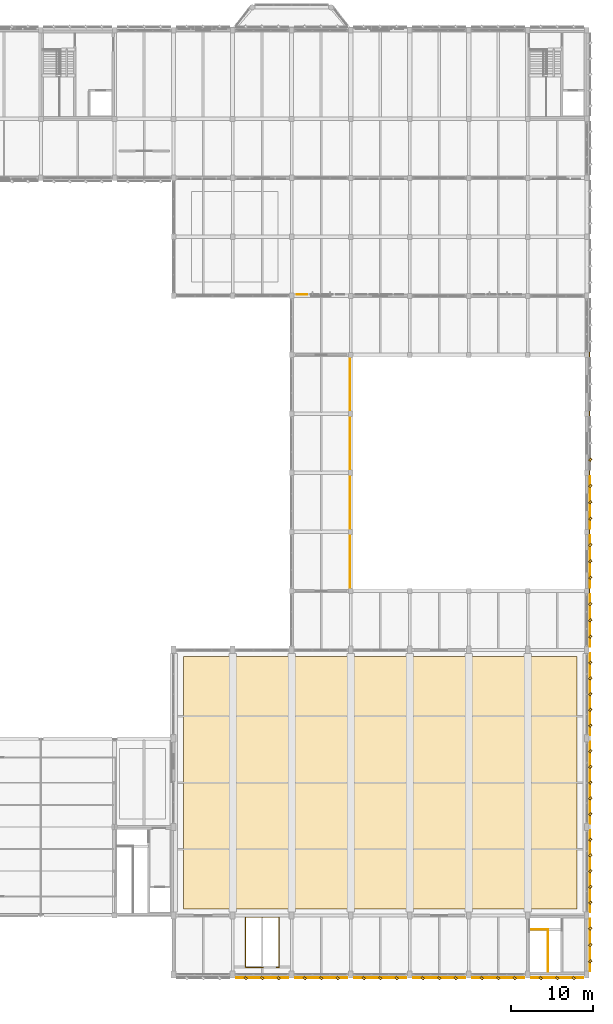
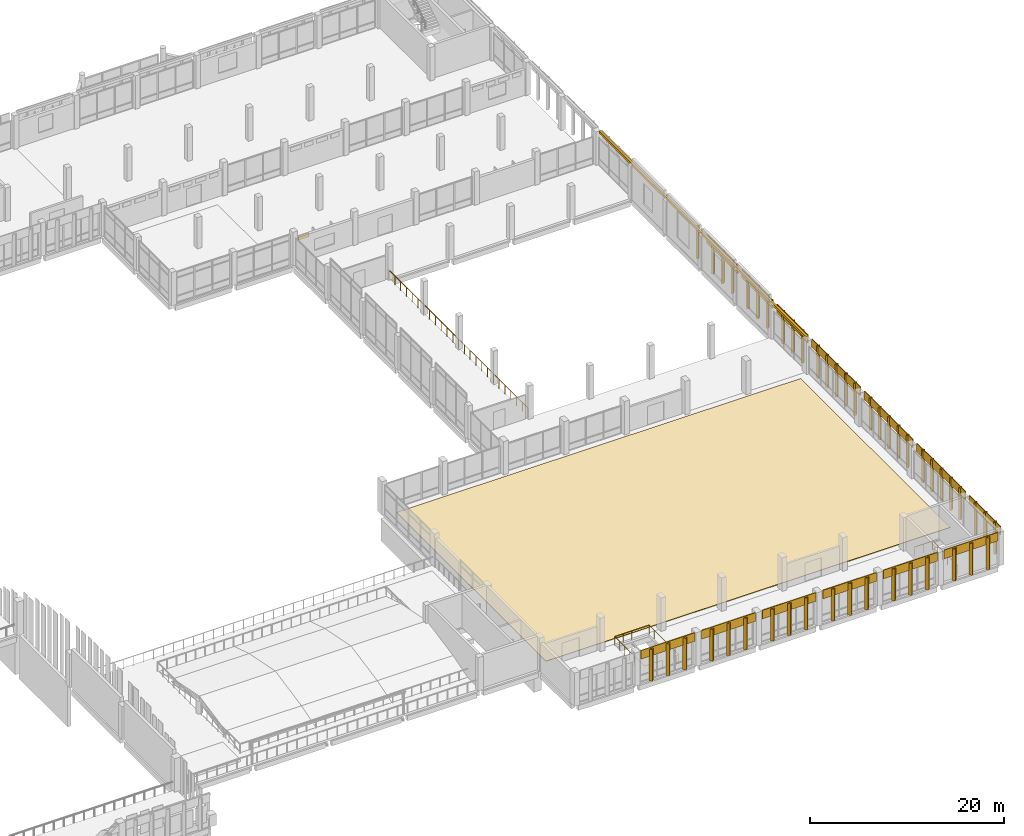
# One storey, part 153 of 158: 62 coverings, 3 railings.
"""IFC4 building model written with IfcOpenShell, lengths in metres."""

from ifc_helpers import new_model, si_unit, direction, frame, origin, origin_2d, place, context, subcontext, project, spatial, polyline, rectangle, circle, outline, extrude, material, layer, layer_set, type_object, element, save


model = new_model("IFC4")

# Units and contexts
model_context = context("Model", 3, precision=1e-05, world=origin(), true_north=direction((0.0, 1.0)))
body_context = subcontext(model_context, "Body", "Model", "MODEL_VIEW")
ifc_project = project(units=[si_unit("LENGTHUNIT", "METRE"), si_unit("AREAUNIT", "SQUARE_METRE"), si_unit("VOLUMEUNIT", "CUBIC_METRE"), si_unit("PLANEANGLEUNIT", "RADIAN"), si_unit("MASSUNIT", "GRAM", prefix="KILO")], contexts=[model_context])

# Site, building, storey
site_placement = place(None, origin())
site = spatial("IfcSite", under=ifc_project, at=site_placement, CompositionType="ELEMENT")
building_placement = place(site_placement, origin())
building = spatial("IfcBuilding", under=site, at=building_placement, Name="Lusvemor Sports Hall", CompositionType="ELEMENT")
storey_placement = place(building_placement, frame((0.0, 0.0, 10.800048828125)))
storey = spatial("IfcBuildingStorey", under=building, at=storey_placement, Name="L02", CompositionType="ELEMENT", Elevation=10.800048828125)

# Coverings
ifc_material_1 = material(Name="Precast granite-faced Concrete C40/50 architectural cladding", Category="masonry")
ifc_layer_1 = layer(ifc_material_1, 0.055908203125)
ifc_layer_set_1 = layer_set([ifc_layer_1], Name="Precast granite-faced Concrete C40/50 architectural cladding")
covering_type_1 = type_object("IfcCoveringType", Name="CLAD_RELIEF_FRIEZE", PredefinedType="CLADDING", material=ifc_layer_set_1)
covering_1_placement = place(storey_placement, frame((169.419921875, 61.199951171875, 3.8798828125), z_axis=(0.0, 0.0, 1.0), x_axis=(1.0, 0.0, 0.0)))
element("IfcCovering", 1, at=covering_1_placement, inside=storey, type_object=covering_type_1, Name="Art Nouveau Sculpted Roofline Cornice 429", PredefinedType="CLADDING", context=body_context, shape_type="SweptSolid", body=[
    extrude(rectangle(XDim=0.239990234375, YDim=42.60009765625, at=origin_2d()), origin(), (0.0, 0.0, 1.0), 0.320068359375),
])
ifc_material_2 = material(Name="Emerald polychrome glazed ceramic cladding on Concrete C40/50 backing", Category="concrete")
ifc_layer_2 = layer(ifc_material_2, 0.0458984375)
ifc_layer_set_2 = layer_set([ifc_layer_2], Name="Emerald polychrome glazed ceramic cladding on Concrete C40/50 backing")
covering_type_2 = type_object("IfcCoveringType", Name="CLAD_WAVE_EMERALD", PredefinedType="CLADDING", material=ifc_layer_set_2)
covering_2_placement = place(storey_placement, frame((134.47509765625, 82.965576171875, 2.61474609375), z_axis=(0.0, 0.0, 1.0), x_axis=(1.0, 0.0, 0.0)))
element("IfcCovering", 2, at=covering_2_placement, inside=storey, type_object=covering_type_2, Name="Art Nouveau Patterned Cladding PS-EW-L02-N-4-0-1", PredefinedType="CLADDING", context=body_context, shape_type="SweptSolid", body=[
    extrude(rectangle(XDim=1.27099609375, YDim=0.0458984375, at=origin_2d()), origin(), (0.0, 0.0, 1.0), 0.510009765625),
])
for number, where, z_axis, x_axis, name in (
    (3, (129.60009765625, -0.43994140625, 0.099853515625), (0.0, 0.0, 1.0), (0.707106781187, 0.707106781187, 0.0), "Patterned Diamond Cladding Rib 170"),
    (4, (136.800048828125, -0.43994140625, 0.099853515625), (0.0, 0.0, 1.0), (0.707106781187, 0.707106781187, 0.0), "Patterned Diamond Cladding Rib 186"),
    (5, (144.0, -0.43994140625, 0.099853515625), (0.0, 0.0, 1.0), (0.707106781187, 0.707106781187, 0.0), "Patterned Diamond Cladding Rib 202"),
    (6, (151.199951171875, -0.43994140625, 0.099853515625), (0.0, 0.0, 1.0), (0.707106781187, 0.707106781187, 0.0), "Patterned Diamond Cladding Rib 218"),
    (7, (158.39990234375, -0.43994140625, 0.099853515625), (0.0, 0.0, 1.0), (0.707106781187, 0.707106781187, 0.0), "Patterned Diamond Cladding Rib 234"),
    (8, (165.60009765625, -0.43994140625, 0.099853515625), (0.0, 0.0, 1.0), (0.707106781187, 0.707106781187, 0.0), "Patterned Diamond Cladding Rib 250"),
):
    element("IfcCovering", number, at=place(storey_placement, frame(where, z_axis=z_axis, x_axis=x_axis)), inside=storey, type_object=covering_type_2, Name=name, PredefinedType="CLADDING", context=body_context, shape_type="SweptSolid", body=[
        extrude(rectangle(XDim=0.280029296875, YDim=0.3798828125, at=origin_2d()), origin(), (0.0, 0.0, 1.0), 4.0),
    ])
for number, where, z_axis, x_axis, name in (
    (9, (169.639892578125, 3.60009765625, 0.099853515625), (0.0, 0.0, 1.0), (0.707106781187, 0.707106781187, 0.0), "Patterned Diamond Cladding Rib 272"),
    (10, (169.639892578125, 10.679931640625, 0.099853515625), (0.0, 0.0, 1.0), (0.707106781187, 0.707106781187, 0.0), "Patterned Diamond Cladding Rib 292"),
    (11, (169.639892578125, 14.52001953125, 0.099853515625), (0.0, 0.0, 1.0), (0.707106781187, 0.707106781187, 0.0), "Patterned Diamond Cladding Rib 294"),
    (12, (169.639892578125, 21.47998046875, 0.099853515625), (0.0, 0.0, 1.0), (0.707106781187, 0.707106781187, 0.0), "Patterned Diamond Cladding Rib 316"),
    (13, (169.639892578125, 25.320068359375, 0.099853515625), (0.0, 0.0, 1.0), (0.707106781187, 0.707106781187, 0.0), "Patterned Diamond Cladding Rib 318"),
    (14, (169.639892578125, 32.280029296875, 0.099853515625), (0.0, 0.0, 1.0), (0.707106781187, 0.707106781187, 0.0), "Patterned Diamond Cladding Rib 340"),
    (15, (169.639892578125, 36.1201171875, 0.099853515625), (0.0, 0.0, 1.0), (0.707106781187, 0.707106781187, 0.0), "Patterned Diamond Cladding Rib 342"),
    (16, (169.639892578125, 43.199951171875, 0.099853515625), (0.0, 0.0, 1.0), (0.707106781187, 0.707106781187, 0.0), "Patterned Diamond Cladding Rib 367"),
    (17, (169.639892578125, 50.39990234375, 0.099853515625), (0.0, 0.0, 1.0), (0.707106781187, 0.707106781187, 0.0), "Patterned Diamond Cladding Rib 379"),
    (18, (169.639892578125, 57.60009765625, 0.099853515625), (0.0, 0.0, 1.0), (0.707106781187, 0.707106781187, 0.0), "Patterned Diamond Cladding Rib 391"),
):
    element("IfcCovering", number, at=place(storey_placement, frame(where, z_axis=z_axis, x_axis=x_axis)), inside=storey, type_object=covering_type_2, Name=name, PredefinedType="CLADDING", context=body_context, shape_type="SweptSolid", body=[
        extrude(rectangle(XDim=0.3798828125, YDim=0.280029296875, at=origin_2d()), origin(), (0.0, 0.0, 1.0), 4.0),
    ])
ifc_material_3 = material(Name="Warm terracotta Art Nouveau ceramic cladding on Concrete C40/50 backing", Category="masonry")
ifc_layer_3 = layer(ifc_material_3, 0.0380859375)
ifc_layer_set_3 = layer_set([ifc_layer_3], Name="Warm terracotta Art Nouveau ceramic cladding on Concrete C40/50 backing")
covering_type_3 = type_object("IfcCoveringType", Name="CLAD_WAVE_OCHRE", PredefinedType="CLADDING", material=ifc_layer_set_3)
for number, where, z_axis, x_axis, name in (
    (19, (129.60009765625, -0.389892578125, 3.179931640625), (0.0, 0.0, 1.0), (1.0, 0.0, 0.0), "Art Nouveau Spandrel Cornice 168"),
    (20, (136.800048828125, -0.389892578125, 3.179931640625), (0.0, 0.0, 1.0), (1.0, 0.0, 0.0), "Art Nouveau Spandrel Cornice 184"),
    (21, (144.0, -0.389892578125, 3.179931640625), (0.0, 0.0, 1.0), (1.0, 0.0, 0.0), "Art Nouveau Spandrel Cornice 200"),
    (22, (151.199951171875, -0.389892578125, 3.179931640625), (0.0, 0.0, 1.0), (1.0, 0.0, 0.0), "Art Nouveau Spandrel Cornice 216"),
    (23, (158.39990234375, -0.389892578125, 3.179931640625), (0.0, 0.0, 1.0), (1.0, 0.0, 0.0), "Art Nouveau Spandrel Cornice 232"),
    (24, (165.60009765625, -0.389892578125, 3.179931640625), (0.0, 0.0, 1.0), (1.0, 0.0, 0.0), "Art Nouveau Spandrel Cornice 248"),
):
    element("IfcCovering", number, at=place(storey_placement, frame(where, z_axis=z_axis, x_axis=x_axis)), inside=storey, type_object=covering_type_3, Name=name, PredefinedType="CLADDING", context=body_context, shape_type="SweptSolid", body=[
        extrude(rectangle(XDim=6.3798828125, YDim=0.090087890625, at=origin_2d()), origin(), (0.0, 0.0, 1.0), 1.080078125),
    ])
covering_3_placement = place(storey_placement, frame((169.590087890625, 3.60009765625, 3.179931640625), z_axis=(0.0, 0.0, 1.0), x_axis=(1.0, 0.0, 0.0)))
element("IfcCovering", 25, at=covering_3_placement, inside=storey, type_object=covering_type_3, Name="Art Nouveau Spandrel Cornice 270", PredefinedType="CLADDING", context=body_context, shape_type="SweptSolid", body=[
    extrude(rectangle(XDim=0.090087890625, YDim=6.3798828125, at=origin_2d()), origin(), (0.0, 0.0, 1.0), 1.080078125),
])
for number, where, z_axis, x_axis, name in (
    (26, (169.590087890625, 12.60009765625, 3.179931640625), (0.0, 0.0, 1.0), (1.0, 0.0, 0.0), "Art Nouveau Spandrel Cornice 290"),
    (27, (169.590087890625, 23.39990234375, 3.179931640625), (0.0, 0.0, 1.0), (1.0, 0.0, 0.0), "Art Nouveau Spandrel Cornice 314"),
    (28, (169.590087890625, 34.199951171875, 3.179931640625), (0.0, 0.0, 1.0), (1.0, 0.0, 0.0), "Art Nouveau Spandrel Cornice 338"),
):
    element("IfcCovering", number, at=place(storey_placement, frame(where, z_axis=z_axis, x_axis=x_axis)), inside=storey, type_object=covering_type_3, Name=name, PredefinedType="CLADDING", context=body_context, shape_type="SweptSolid", body=[
        extrude(rectangle(XDim=0.090087890625, YDim=9.97998046875, at=origin_2d()), origin(), (0.0, 0.0, 1.0), 1.080078125),
    ])
for number, where, z_axis, x_axis, name in (
    (29, (169.590087890625, 43.199951171875, 3.179931640625), (0.0, 0.0, 1.0), (1.0, 0.0, 0.0), "Art Nouveau Spandrel Cornice 365"),
    (30, (169.590087890625, 50.39990234375, 3.179931640625), (0.0, 0.0, 1.0), (1.0, 0.0, 0.0), "Art Nouveau Spandrel Cornice 377"),
    (31, (169.590087890625, 57.60009765625, 3.179931640625), (0.0, 0.0, 1.0), (1.0, 0.0, 0.0), "Art Nouveau Spandrel Cornice 389"),
):
    element("IfcCovering", number, at=place(storey_placement, frame(where, z_axis=z_axis, x_axis=x_axis)), inside=storey, type_object=covering_type_3, Name=name, PredefinedType="CLADDING", context=body_context, shape_type="SweptSolid", body=[
        extrude(rectangle(XDim=0.090087890625, YDim=6.3798828125, at=origin_2d()), origin(), (0.0, 0.0, 1.0), 1.080078125),
    ])
ifc_material_4 = material(Name="FIBA-grade sprung maple sports flooring")
ifc_layer_4 = layer(ifc_material_4, 0.06591796875)
ifc_layer_set_4 = layer_set([ifc_layer_4], Name="FIBA-grade sprung maple sports flooring")
covering_type_4 = type_object("IfcCoveringType", Name="COV_SPRUNG_MAPLE", PredefinedType="FLOORING", material=ifc_layer_set_4)
covering_4_placement = place(storey_placement, origin())
element("IfcCovering", 32, at=covering_4_placement, inside=storey, type_object=covering_type_4, Name="Sprung Maple Flooring COV-MAPLE-COURT3", PredefinedType="FLOORING", context=body_context, shape_type="SweptSolid", body=[
    extrude(outline(polyline([(120.0, 8.0), (168.0, 8.0), (168.0, 38.800048828125), (120.0, 38.800048828125), (120.0, 8.0)])), origin(), (0.0, 0.0, 1.0), 0.06591796875),
])
ifc_material_5 = material(Name="Warm terracotta Art Nouveau ceramic cladding on Concrete C40/50 backing", Category="masonry")
ifc_layer_5 = layer(ifc_material_5, 0.449951171875)
ifc_layer_set_5 = layer_set([ifc_layer_5], Name="Warm terracotta Art Nouveau ceramic cladding on Concrete C40/50 backing")
covering_type_5 = type_object("IfcCoveringType", Name="FIN_BRISE_CER_450", PredefinedType="MOLDING", material=ifc_layer_set_5)
for number, where, z_axis, x_axis, name in (
    (33, (127.60009765625, -0.43994140625, 0.099853515625), (0.0, 0.0, 1.0), (0.707106781187, 0.707106781187, 0.0), "Patterned Diamond Cladding Rib 169"),
    (34, (131.60009765625, -0.43994140625, 0.099853515625), (0.0, 0.0, 1.0), (0.707106781187, 0.707106781187, 0.0), "Patterned Diamond Cladding Rib 171"),
    (35, (134.800048828125, -0.43994140625, 0.099853515625), (0.0, 0.0, 1.0), (0.707106781187, 0.707106781187, 0.0), "Patterned Diamond Cladding Rib 185"),
    (36, (138.800048828125, -0.43994140625, 0.099853515625), (0.0, 0.0, 1.0), (0.707106781187, 0.707106781187, 0.0), "Patterned Diamond Cladding Rib 187"),
    (37, (142.0, -0.43994140625, 0.099853515625), (0.0, 0.0, 1.0), (0.707106781187, 0.707106781187, 0.0), "Patterned Diamond Cladding Rib 201"),
    (38, (146.0, -0.43994140625, 0.099853515625), (0.0, 0.0, 1.0), (0.707106781187, 0.707106781187, 0.0), "Patterned Diamond Cladding Rib 203"),
    (39, (149.199951171875, -0.43994140625, 0.099853515625), (0.0, 0.0, 1.0), (0.707106781187, 0.707106781187, 0.0), "Patterned Diamond Cladding Rib 217"),
    (40, (153.199951171875, -0.43994140625, 0.099853515625), (0.0, 0.0, 1.0), (0.707106781187, 0.707106781187, 0.0), "Patterned Diamond Cladding Rib 219"),
    (41, (156.39990234375, -0.43994140625, 0.099853515625), (0.0, 0.0, 1.0), (0.707106781187, 0.707106781187, 0.0), "Patterned Diamond Cladding Rib 233"),
    (42, (160.39990234375, -0.43994140625, 0.099853515625), (0.0, 0.0, 1.0), (0.707106781187, 0.707106781187, 0.0), "Patterned Diamond Cladding Rib 235"),
    (43, (163.60009765625, -0.43994140625, 0.099853515625), (0.0, 0.0, 1.0), (0.707106781187, 0.707106781187, 0.0), "Patterned Diamond Cladding Rib 249"),
    (44, (167.60009765625, -0.43994140625, 0.099853515625), (0.0, 0.0, 1.0), (0.707106781187, 0.707106781187, 0.0), "Patterned Diamond Cladding Rib 251"),
):
    element("IfcCovering", number, at=place(storey_placement, frame(where, z_axis=z_axis, x_axis=x_axis)), inside=storey, type_object=covering_type_5, Name=name, PredefinedType="MOLDING", context=body_context, shape_type="SweptSolid", body=[
        extrude(rectangle(XDim=0.280029296875, YDim=0.3798828125, at=origin_2d()), origin(), (0.0, 0.0, 1.0), 4.0),
    ])
for number, where, z_axis, x_axis, name in (
    (45, (169.639892578125, 1.60009765625, 0.099853515625), (0.0, 0.0, 1.0), (0.707106781187, 0.707106781187, 0.0), "Patterned Diamond Cladding Rib 271"),
    (46, (169.639892578125, 5.60009765625, 0.099853515625), (0.0, 0.0, 1.0), (0.707106781187, 0.707106781187, 0.0), "Patterned Diamond Cladding Rib 273"),
    (47, (169.639892578125, 8.760009765625, 0.099853515625), (0.0, 0.0, 1.0), (0.707106781187, 0.707106781187, 0.0), "Patterned Diamond Cladding Rib 291"),
    (48, (169.639892578125, 12.60009765625, 0.099853515625), (0.0, 0.0, 1.0), (0.707106781187, 0.707106781187, 0.0), "Patterned Diamond Cladding Rib 293"),
    (49, (169.639892578125, 16.43994140625, 0.099853515625), (0.0, 0.0, 1.0), (0.707106781187, 0.707106781187, 0.0), "Patterned Diamond Cladding Rib 295"),
    (50, (169.639892578125, 19.56005859375, 0.099853515625), (0.0, 0.0, 1.0), (0.707106781187, 0.707106781187, 0.0), "Patterned Diamond Cladding Rib 315"),
    (51, (169.639892578125, 23.39990234375, 0.099853515625), (0.0, 0.0, 1.0), (0.707106781187, 0.707106781187, 0.0), "Patterned Diamond Cladding Rib 317"),
    (52, (169.639892578125, 27.239990234375, 0.099853515625), (0.0, 0.0, 1.0), (0.707106781187, 0.707106781187, 0.0), "Patterned Diamond Cladding Rib 319"),
    (53, (169.639892578125, 30.360107421875, 0.099853515625), (0.0, 0.0, 1.0), (0.707106781187, 0.707106781187, 0.0), "Patterned Diamond Cladding Rib 339"),
    (54, (169.639892578125, 34.199951171875, 0.099853515625), (0.0, 0.0, 1.0), (0.707106781187, 0.707106781187, 0.0), "Patterned Diamond Cladding Rib 341"),
    (55, (169.639892578125, 38.0400390625, 0.099853515625), (0.0, 0.0, 1.0), (0.707106781187, 0.707106781187, 0.0), "Patterned Diamond Cladding Rib 343"),
    (56, (169.639892578125, 41.199951171875, 0.099853515625), (0.0, 0.0, 1.0), (0.707106781187, 0.707106781187, 0.0), "Patterned Diamond Cladding Rib 366"),
    (57, (169.639892578125, 45.199951171875, 0.099853515625), (0.0, 0.0, 1.0), (0.707106781187, 0.707106781187, 0.0), "Patterned Diamond Cladding Rib 368"),
    (58, (169.639892578125, 48.39990234375, 0.099853515625), (0.0, 0.0, 1.0), (0.707106781187, 0.707106781187, 0.0), "Patterned Diamond Cladding Rib 378"),
    (59, (169.639892578125, 52.39990234375, 0.099853515625), (0.0, 0.0, 1.0), (0.707106781187, 0.707106781187, 0.0), "Patterned Diamond Cladding Rib 380"),
    (60, (169.639892578125, 55.60009765625, 0.099853515625), (0.0, 0.0, 1.0), (0.707106781187, 0.707106781187, 0.0), "Patterned Diamond Cladding Rib 390"),
    (61, (169.639892578125, 59.60009765625, 0.099853515625), (0.0, 0.0, 1.0), (0.707106781187, 0.707106781187, 0.0), "Patterned Diamond Cladding Rib 392"),
    (62, (169.639892578125, 62.800048828125, 0.099853515625), (0.0, 0.0, 1.0), (0.707106781187, 0.707106781187, 0.0), "Patterned Diamond Cladding Rib 402"),
):
    element("IfcCovering", number, at=place(storey_placement, frame(where, z_axis=z_axis, x_axis=x_axis)), inside=storey, type_object=covering_type_5, Name=name, PredefinedType="MOLDING", context=body_context, shape_type="SweptSolid", body=[
        extrude(rectangle(XDim=0.3798828125, YDim=0.280029296875, at=origin_2d()), origin(), (0.0, 0.0, 1.0), 4.0),
    ])

# Railings
ifc_material_6 = material(Name="Bronze-finished wrought-steel Art Nouveau balustrade", Category="steel")
railing_type_1 = type_object("IfcRailingType", Name="RAIL_ATRIUM_BAL_115", PredefinedType="BALUSTRADE", material=ifc_material_6)
railing_1_placement = place(storey_placement, frame((129.68994140625, 0.860107421875, 0.0)))
element("IfcRailing", 63, at=railing_1_placement, inside=storey, type_object=railing_type_1, Name="STR-V2-CONC L02 Well Guard", PredefinedType="BALUSTRADE", context=body_context, shape_type="SweptSolid", body=[
    extrude(circle(Radius=0.02392578125, at=origin_2d()), frame((0.0, 0.0, 1.1259765625), z_axis=(-1.0, 0.0, 0.0), x_axis=(0.0, -1.0, 0.0)), (0.0, 0.0, 1.0), 2.1298828125),
    extrude(circle(Radius=0.02392578125, at=origin_2d()), frame((-2.1298828125, 0.0, 1.1259765625), z_axis=(0.0, 1.0, 0.0), x_axis=(-1.0, 0.0, 0.0)), (0.0, 0.0, 1.0), 6.119873046875),
    extrude(circle(Radius=0.02392578125, at=origin_2d()), frame((-2.1298828125, 6.119873046875, 1.1259765625), z_axis=(1.0, 0.0, 0.0), x_axis=(0.0, 1.0, 0.0)), (0.0, 0.0, 1.0), 4.079833984375),
    extrude(circle(Radius=0.02392578125, at=origin_2d()), frame((1.949951171875, 6.119873046875, 1.1259765625), z_axis=(0.0, -1.0, 0.0), x_axis=(1.0, 0.0, 0.0)), (0.0, 0.0, 1.0), 6.119873046875),
    extrude(circle(Radius=0.02392578125, at=origin_2d()), frame((1.949951171875, 0.0, 1.1259765625), z_axis=(-1.0, 0.0, 0.0), x_axis=(0.0, -1.0, 0.0)), (0.0, 0.0, 1.0), 0.329833984375),
    extrude(circle(Radius=0.02099609375, at=origin_2d()), origin(), (0.0, 0.0, 1.0), 1.101806640625),
    extrude(circle(Radius=0.02099609375, at=origin_2d()), frame((-1.06494140625, 0.0, 0.0)), (0.0, 0.0, 1.0), 1.101806640625),
    extrude(circle(Radius=0.02099609375, at=origin_2d()), frame((-2.1298828125, 0.0, 0.0)), (0.0, 0.0, 1.0), 1.101806640625),
    extrude(circle(Radius=0.02099609375, at=origin_2d()), frame((-2.1298828125, 1.02001953125, 0.0)), (0.0, 0.0, 1.0), 1.101806640625),
    extrude(circle(Radius=0.02099609375, at=origin_2d()), frame((-2.1298828125, 2.0400390625, 0.0)), (0.0, 0.0, 1.0), 1.101806640625),
    extrude(circle(Radius=0.02099609375, at=origin_2d()), frame((-2.1298828125, 3.06005859375, 0.0)), (0.0, 0.0, 1.0), 1.101806640625),
    extrude(circle(Radius=0.02099609375, at=origin_2d()), frame((-2.1298828125, 4.079833984375, 0.0)), (0.0, 0.0, 1.0), 1.101806640625),
    extrude(circle(Radius=0.02099609375, at=origin_2d()), frame((-2.1298828125, 5.099853515625, 0.0)), (0.0, 0.0, 1.0), 1.101806640625),
    extrude(circle(Radius=0.02099609375, at=origin_2d()), frame((-2.1298828125, 6.119873046875, 0.0)), (0.0, 0.0, 1.0), 1.101806640625),
    extrude(circle(Radius=0.02099609375, at=origin_2d()), frame((-1.10986328125, 6.119873046875, 0.0)), (0.0, 0.0, 1.0), 1.101806640625),
    extrude(circle(Radius=0.02099609375, at=origin_2d()), frame((-0.08984375, 6.119873046875, 0.0)), (0.0, 0.0, 1.0), 1.101806640625),
    extrude(circle(Radius=0.02099609375, at=origin_2d()), frame((0.929931640625, 6.119873046875, 0.0)), (0.0, 0.0, 1.0), 1.101806640625),
    extrude(circle(Radius=0.02099609375, at=origin_2d()), frame((1.949951171875, 6.119873046875, 0.0)), (0.0, 0.0, 1.0), 1.101806640625),
    extrude(circle(Radius=0.02099609375, at=origin_2d()), frame((1.949951171875, 5.099853515625, 0.0)), (0.0, 0.0, 1.0), 1.101806640625),
    extrude(circle(Radius=0.02099609375, at=origin_2d()), frame((1.949951171875, 4.079833984375, 0.0)), (0.0, 0.0, 1.0), 1.101806640625),
    extrude(circle(Radius=0.02099609375, at=origin_2d()), frame((1.949951171875, 3.06005859375, 0.0)), (0.0, 0.0, 1.0), 1.101806640625),
    extrude(circle(Radius=0.02099609375, at=origin_2d()), frame((1.949951171875, 2.0400390625, 0.0)), (0.0, 0.0, 1.0), 1.101806640625),
    extrude(circle(Radius=0.02099609375, at=origin_2d()), frame((1.949951171875, 1.02001953125, 0.0)), (0.0, 0.0, 1.0), 1.101806640625),
    extrude(circle(Radius=0.02099609375, at=origin_2d()), frame((1.949951171875, 0.0, 0.0)), (0.0, 0.0, 1.0), 1.101806640625),
    extrude(circle(Radius=0.02099609375, at=origin_2d()), frame((1.6201171875, 0.0, 0.0)), (0.0, 0.0, 1.0), 1.101806640625),
])
railing_2_placement = place(storey_placement, frame((140.320068359375, 46.89990234375, 0.0)))
element("IfcRailing", 64, at=railing_2_placement, inside=storey, type_object=railing_type_1, Name="Climbing Top-Out Gallery Balustrade", PredefinedType="BALUSTRADE", context=body_context, shape_type="SweptSolid", body=[
    extrude(circle(Radius=0.02392578125, at=origin_2d()), frame((0.0, 0.0, 1.1259765625), z_axis=(0.0, 1.0, 0.0), x_axis=(-1.0, 0.0, 0.0)), (0.0, 0.0, 1.0), 28.60009765625),
    extrude(circle(Radius=0.02099609375, at=origin_2d()), origin(), (0.0, 0.0, 1.0), 1.101806640625),
    extrude(circle(Radius=0.02099609375, at=origin_2d()), frame((0.0, 1.191650390625, 0.0)), (0.0, 0.0, 1.0), 1.101806640625),
    extrude(circle(Radius=0.02099609375, at=origin_2d()), frame((0.0, 2.38330078125, 0.0)), (0.0, 0.0, 1.0), 1.101806640625),
    extrude(circle(Radius=0.02099609375, at=origin_2d()), frame((0.0, 3.574951171875, 0.0)), (0.0, 0.0, 1.0), 1.101806640625),
    extrude(circle(Radius=0.02099609375, at=origin_2d()), frame((0.0, 4.7666015625, 0.0)), (0.0, 0.0, 1.0), 1.101806640625),
    extrude(circle(Radius=0.02099609375, at=origin_2d()), frame((0.0, 5.958251953125, 0.0)), (0.0, 0.0, 1.0), 1.101806640625),
    extrude(circle(Radius=0.02099609375, at=origin_2d()), frame((0.0, 7.14990234375, 0.0)), (0.0, 0.0, 1.0), 1.101806640625),
    extrude(circle(Radius=0.02099609375, at=origin_2d()), frame((0.0, 8.341796875, 0.0)), (0.0, 0.0, 1.0), 1.101806640625),
    extrude(circle(Radius=0.02099609375, at=origin_2d()), frame((0.0, 9.533447265625, 0.0)), (0.0, 0.0, 1.0), 1.101806640625),
    extrude(circle(Radius=0.02099609375, at=origin_2d()), frame((0.0, 10.72509765625, 0.0)), (0.0, 0.0, 1.0), 1.101806640625),
    extrude(circle(Radius=0.02099609375, at=origin_2d()), frame((0.0, 11.916748046875, 0.0)), (0.0, 0.0, 1.0), 1.101806640625),
    extrude(circle(Radius=0.02099609375, at=origin_2d()), frame((0.0, 13.1083984375, 0.0)), (0.0, 0.0, 1.0), 1.101806640625),
    extrude(circle(Radius=0.02099609375, at=origin_2d()), frame((0.0, 14.300048828125, 0.0)), (0.0, 0.0, 1.0), 1.101806640625),
    extrude(circle(Radius=0.02099609375, at=origin_2d()), frame((0.0, 15.49169921875, 0.0)), (0.0, 0.0, 1.0), 1.101806640625),
    extrude(circle(Radius=0.02099609375, at=origin_2d()), frame((0.0, 16.683349609375, 0.0)), (0.0, 0.0, 1.0), 1.101806640625),
    extrude(circle(Radius=0.02099609375, at=origin_2d()), frame((0.0, 17.875, 0.0)), (0.0, 0.0, 1.0), 1.101806640625),
    extrude(circle(Radius=0.02099609375, at=origin_2d()), frame((0.0, 19.066650390625, 0.0)), (0.0, 0.0, 1.0), 1.101806640625),
    extrude(circle(Radius=0.02099609375, at=origin_2d()), frame((0.0, 20.25830078125, 0.0)), (0.0, 0.0, 1.0), 1.101806640625),
    extrude(circle(Radius=0.02099609375, at=origin_2d()), frame((0.0, 21.4501953125, 0.0)), (0.0, 0.0, 1.0), 1.101806640625),
    extrude(circle(Radius=0.02099609375, at=origin_2d()), frame((0.0, 22.641845703125, 0.0)), (0.0, 0.0, 1.0), 1.101806640625),
    extrude(circle(Radius=0.02099609375, at=origin_2d()), frame((0.0, 23.83349609375, 0.0)), (0.0, 0.0, 1.0), 1.101806640625),
    extrude(circle(Radius=0.02099609375, at=origin_2d()), frame((0.0, 25.025146484375, 0.0)), (0.0, 0.0, 1.0), 1.101806640625),
    extrude(circle(Radius=0.02099609375, at=origin_2d()), frame((0.0, 26.216796875, 0.0)), (0.0, 0.0, 1.0), 1.101806640625),
    extrude(circle(Radius=0.02099609375, at=origin_2d()), frame((0.0, 27.408447265625, 0.0)), (0.0, 0.0, 1.0), 1.101806640625),
    extrude(circle(Radius=0.02099609375, at=origin_2d()), frame((0.0, 28.60009765625, 0.0)), (0.0, 0.0, 1.0), 1.101806640625),
])
ifc_material_7 = material(Name="Bronze-finished wrought-steel Art Nouveau balustrade", Category="steel")
railing_type_2 = type_object("IfcRailingType", Name="RAIL_STAIR_GUARD_112", PredefinedType="GUARDRAIL", material=ifc_material_7)
railing_3_placement = place(storey_placement, frame((162.340087890625, 5.5, 0.0)))
element("IfcRailing", 65, at=railing_3_placement, inside=storey, type_object=railing_type_2, Name="Stairwell C8 Top Guard (L02)", PredefinedType="GUARDRAIL", context=body_context, shape_type="SweptSolid", body=[
    extrude(circle(Radius=0.02392578125, at=origin_2d()), frame((0.0, 0.0, 1.09619140625), z_axis=(1.0, 0.0, 0.0), x_axis=(0.0, 1.0, 0.0)), (0.0, 0.0, 1.0), 2.119873046875),
    extrude(circle(Radius=0.02392578125, at=origin_2d()), frame((2.119873046875, 0.0, 1.09619140625), z_axis=(0.0, -1.0, 0.0), x_axis=(1.0, 0.0, 0.0)), (0.0, 0.0, 1.0), 5.159912109375),
    extrude(circle(Radius=0.02099609375, at=origin_2d()), origin(), (0.0, 0.0, 1.0), 1.072021484375),
    extrude(circle(Radius=0.02099609375, at=origin_2d()), frame((1.06005859375, 0.0, 0.0)), (0.0, 0.0, 1.0), 1.072021484375),
    extrude(circle(Radius=0.02099609375, at=origin_2d()), frame((2.119873046875, 0.0, 0.0)), (0.0, 0.0, 1.0), 1.072021484375),
    extrude(circle(Radius=0.02099609375, at=origin_2d()), frame((2.119873046875, -1.031982421875, 0.0)), (0.0, 0.0, 1.0), 1.072021484375),
    extrude(circle(Radius=0.02099609375, at=origin_2d()), frame((2.119873046875, -2.06396484375, 0.0)), (0.0, 0.0, 1.0), 1.072021484375),
    extrude(circle(Radius=0.02099609375, at=origin_2d()), frame((2.119873046875, -3.095947265625, 0.0)), (0.0, 0.0, 1.0), 1.072021484375),
    extrude(circle(Radius=0.02099609375, at=origin_2d()), frame((2.119873046875, -4.1279296875, 0.0)), (0.0, 0.0, 1.0), 1.072021484375),
    extrude(circle(Radius=0.02099609375, at=origin_2d()), frame((2.119873046875, -5.159912109375, 0.0)), (0.0, 0.0, 1.0), 1.072021484375),
])

save(model, "model.ifc")
